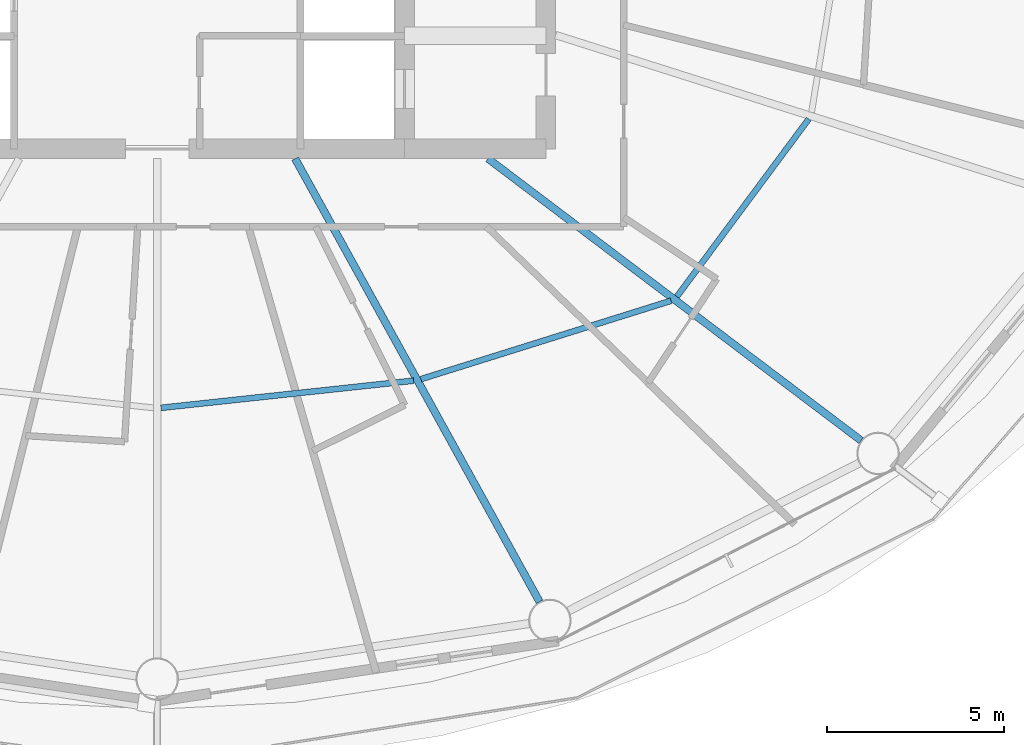
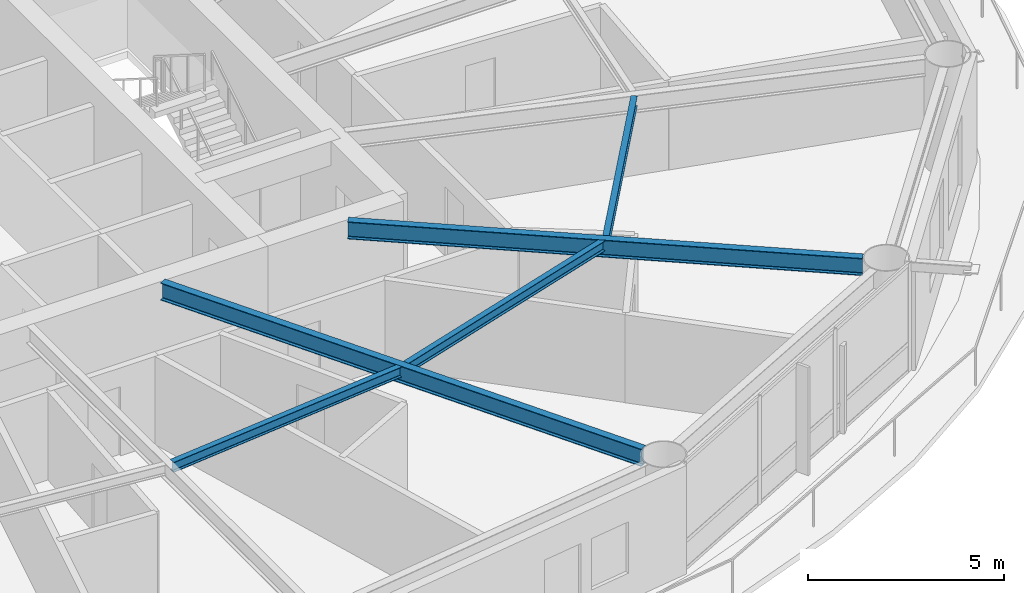
# One storey, part 5 of 24: 5 beams.
"""IFC4 building model written with IfcOpenShell, lengths in metres."""

from ifc_helpers import new_model, si_unit, direction, frame, origin, origin_2d, place, context, subcontext, project, spatial, i_section, extrude, material, material_profile, profile_set, type_object, element, save


model = new_model("IFC4")

# Units and contexts
model_context = context("Model", 3, precision=1e-05, world=origin(), true_north=direction((0.0, 1.0)))
body_context = subcontext(model_context, "Body", "Model", "MODEL_VIEW")
ifc_project = project(units=[si_unit("LENGTHUNIT", "METRE"), si_unit("AREAUNIT", "SQUARE_METRE"), si_unit("VOLUMEUNIT", "CUBIC_METRE"), si_unit("PLANEANGLEUNIT", "RADIAN"), si_unit("MASSUNIT", "GRAM", prefix="KILO")], contexts=[model_context])

# Site, building, storey
site_placement = place(None, origin())
site = spatial("IfcSite", under=ifc_project, at=site_placement, CompositionType="ELEMENT")
building_placement = place(site_placement, origin())
building = spatial("IfcBuilding", under=site, at=building_placement, Name="Sarneth Arch Tower", CompositionType="ELEMENT")
storey_placement = place(building_placement, frame((0.0, 0.0, 102.0)))
storey = spatial("IfcBuildingStorey", under=building, at=storey_placement, Name="L25", CompositionType="ELEMENT", Elevation=102.0)

# Beams
ifc_material_1 = material(Name="Steel S355", Category="steel")
ifc_material_profile_1 = material_profile(ifc_material_1, i_section(OverallWidth=0.1669921875, OverallDepth=0.31689453125, WebThickness=0.007568359375, FlangeThickness=0.01318359375, FilletRadius=0.012939453125, at=origin_2d()), Name="W310x52")
ifc_profile_set_1 = profile_set([ifc_material_profile_1], Name="Steel S355")
beam_type_1 = type_object("IfcBeamType", Name="BM-JOIST-310B", PredefinedType="JOIST", material=ifc_profile_set_1)
beam_1_placement = place(storey_placement, frame((48.10498046875, 27.873779296875, 3.221435546875), z_axis=(0.994257420028, 0.107014871487, 0.0), x_axis=(-0.107014871487, 0.994257420028, 0.0)))
element("IfcBeam", 1, at=beam_1_placement, inside=storey, type_object=beam_type_1, Name="L25 Secondary floor joist 13", PredefinedType="JOIST", context=body_context, shape_type="SweptSolid", body=[
    extrude(i_section(OverallWidth=0.1669921875, OverallDepth=0.31689453125, WebThickness=0.007568359375, FlangeThickness=0.01318359375, FilletRadius=0.012939453125, at=origin_2d()), origin(), (0.0, 0.0, 1.0), 7.193115234375),
])
beam_2_placement = place(storey_placement, frame((55.46240234375, 28.6865234375, 3.221435546875), z_axis=(0.954245982384, 0.299022750146, 0.0), x_axis=(-0.299022750146, 0.954245982384, 0.0)))
element("IfcBeam", 2, at=beam_2_placement, inside=storey, type_object=beam_type_1, Name="L25 Secondary floor joist 14", PredefinedType="JOIST", context=body_context, shape_type="SweptSolid", body=[
    extrude(i_section(OverallWidth=0.1669921875, OverallDepth=0.31689453125, WebThickness=0.007568359375, FlangeThickness=0.01318359375, FilletRadius=0.012939453125, at=origin_2d()), origin(), (0.0, 0.0, 1.0), 7.416748046875),
])
beam_3_placement = place(storey_placement, frame((62.703369140625, 31.0205078125, 3.221435546875), z_axis=(0.596098474255, 0.802911333206, 0.0), x_axis=(-0.802911333206, 0.596098474255, 0.0)))
element("IfcBeam", 3, at=beam_3_placement, inside=storey, type_object=beam_type_1, Name="L25 Secondary floor joist 15", PredefinedType="JOIST", context=body_context, shape_type="SweptSolid", body=[
    extrude(i_section(OverallWidth=0.1669921875, OverallDepth=0.31689453125, WebThickness=0.007568359375, FlangeThickness=0.01318359375, FilletRadius=0.012939453125, at=origin_2d()), origin(), (0.0, 0.0, 1.0), 6.259033203125),
])
ifc_material_2 = material(Name="Steel S355", Category="steel")
ifc_material_profile_2 = material_profile(ifc_material_2, i_section(OverallWidth=0.2109375, OverallDepth=0.5390625, WebThickness=0.01171875, FlangeThickness=0.018798828125, FilletRadius=0.01806640625, at=origin_2d()), Name="W530x109")
ifc_profile_set_2 = profile_set([ifc_material_profile_2], Name="Steel S355")
beam_type_2 = type_object("IfcBeamType", Name="BM-RAD-530B", PredefinedType="BEAM", material=ifc_profile_set_2)
beam_4_placement = place(storey_placement, frame((51.90283203125, 34.925048828125, 3.110595703125), z_axis=(0.483021011336, -0.875608761153, 0.0), x_axis=(0.875608761153, 0.483021011336, 0.0)))
element("IfcBeam", 4, at=beam_4_placement, inside=storey, type_object=beam_type_2, Name="L25 Radial floor girder 14", PredefinedType="BEAM", context=body_context, shape_type="SweptSolid", body=[
    extrude(i_section(OverallWidth=0.2109375, OverallDepth=0.5390625, WebThickness=0.01171875, FlangeThickness=0.018798828125, FilletRadius=0.01806640625, at=origin_2d()), origin(), (0.0, 0.0, 1.0), 14.32177734375),
])
beam_5_placement = place(storey_placement, frame((57.36181640625, 34.925048828125, 3.110595703125), z_axis=(0.797802835234, -0.602918432371, 0.0), x_axis=(0.602918432371, 0.797802835234, 0.0)))
element("IfcBeam", 5, at=beam_5_placement, inside=storey, type_object=beam_type_2, Name="L25 Radial floor girder 15", PredefinedType="BEAM", context=body_context, shape_type="SweptSolid", body=[
    extrude(i_section(OverallWidth=0.2109375, OverallDepth=0.5390625, WebThickness=0.01171875, FlangeThickness=0.018798828125, FilletRadius=0.01806640625, at=origin_2d()), origin(), (0.0, 0.0, 1.0), 13.232666015625),
])

save(model, "model.ifc")
